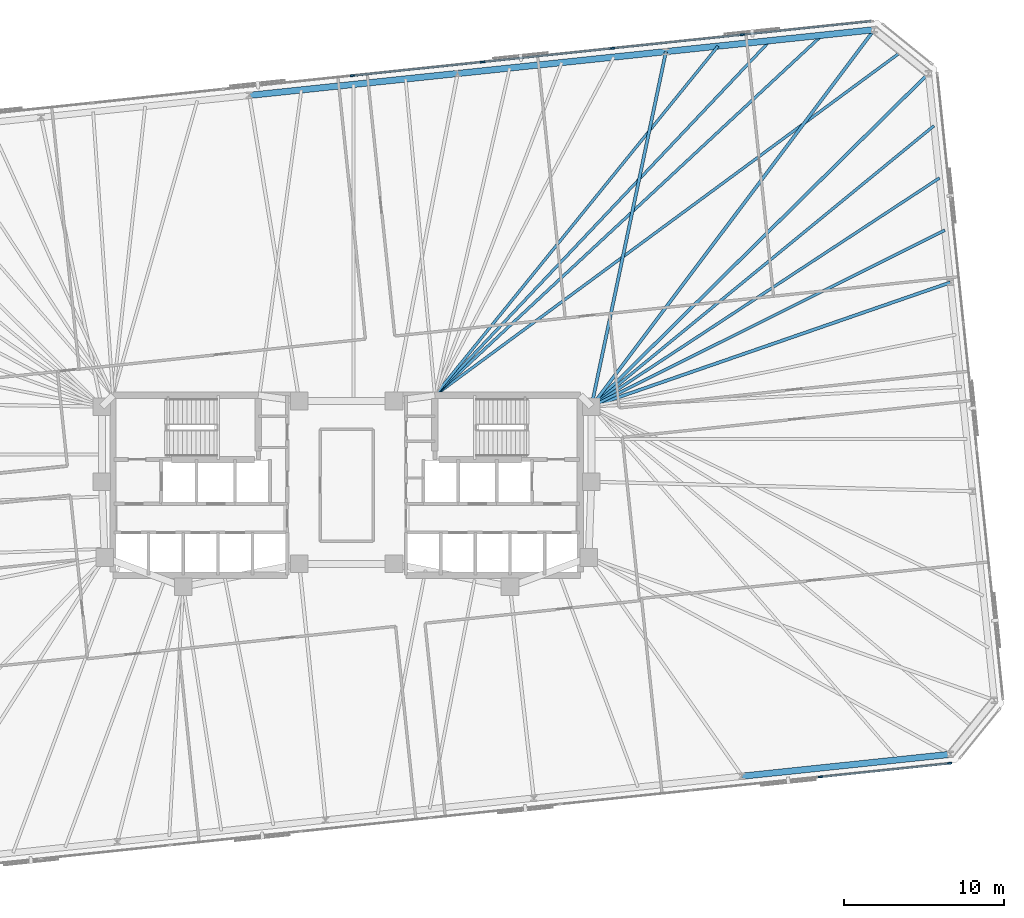
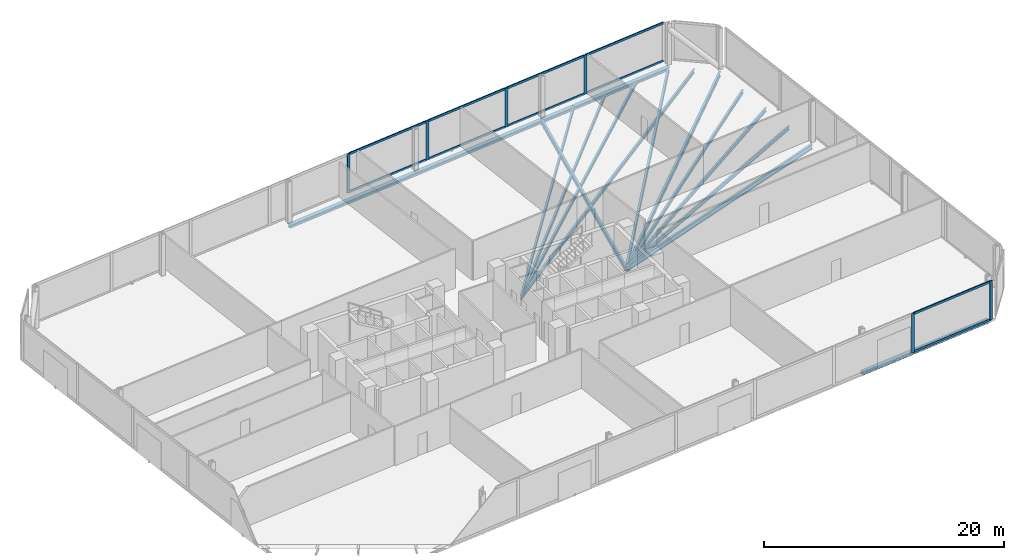
# One storey, part 9 of 16: 16 members, 15 beams, 2 elements without a shape of their own.
"""IFC4 building model written with IfcOpenShell, lengths in metres."""

from ifc_helpers import new_model, si_unit, direction, frame, origin, origin_2d, place, context, subcontext, project, spatial, rectangle, i_section, extrude, material, material_profile, profile_set, type_object, element, aggregate, save


model = new_model("IFC4")

# Units and contexts
model_context = context("Model", 3, precision=1e-05, world=origin(), true_north=direction((0.0, 1.0)))
body_context = subcontext(model_context, "Body", "Model", "MODEL_VIEW")
ifc_project = project(units=[si_unit("LENGTHUNIT", "METRE"), si_unit("AREAUNIT", "SQUARE_METRE"), si_unit("VOLUMEUNIT", "CUBIC_METRE"), si_unit("PLANEANGLEUNIT", "RADIAN"), si_unit("MASSUNIT", "GRAM", prefix="KILO")], contexts=[model_context])

# Site, building, storey
site_placement = place(None, origin())
site = spatial("IfcSite", under=ifc_project, at=site_placement, CompositionType="ELEMENT")
building_placement = place(site_placement, origin())
building = spatial("IfcBuilding", under=site, at=building_placement, Name="Menara Jurai Vektor", CompositionType="ELEMENT")
storey_placement = place(building_placement, frame((0.0, 0.0, 83.199951171875)))
storey = spatial("IfcBuildingStorey", under=building, at=storey_placement, Name="L20", CompositionType="ELEMENT", Elevation=83.199951171875)

# Curtain wall, members
ifc_material_1 = material(Name="Anodised Pale Aluminium & Low-E Double Glazing", Category="aluminium")
curtain_wall_type = type_object("IfcCurtainWallType", Name="CW-SKY", PredefinedType="NOTDEFINED", material=ifc_material_1)
curtain_wall_1_placement = place(storey_placement, origin())
curtain_wall_1 = element("IfcCurtainWall", 1, at=curtain_wall_1_placement, inside=storey, type_object=curtain_wall_type, Name="Unitised Curtain Wall L20 F01", PredefinedType="NOTDEFINED")
ifc_material_2 = material(Name="Anodised Pale Aluminium Mullion", Category="aluminium")
ifc_material_profile_1 = material_profile(ifc_material_2, rectangle(XDim=0.110107421875, YDim=0.280029296875, at=origin_2d()), Name="ALU MUL 110x280")
ifc_profile_set_1 = profile_set([ifc_material_profile_1], Name="Anodised Pale Aluminium Mullion")
member_type_1 = type_object("IfcMemberType", Name="CW-SKY-MUL", PredefinedType="MULLION", material=ifc_profile_set_1)
member_1_placement = place(storey_placement, frame((29.52392578125, -18.169189453125, 0.0), z_axis=(0.0, 0.0, 1.0), x_axis=(-0.104528634935, 0.994521877325, 0.0)))
member_1 = element("IfcMember", 2, at=member_1_placement, type_object=member_type_1, Name="CW-06 mullion 8", PredefinedType="MULLION", context=body_context, shape_type="SweptSolid", body=[
    extrude(rectangle(XDim=0.110107421875, YDim=0.280029296875, at=origin_2d()), origin(), (0.0, 0.0, 1.0), 3.97509765625),
])
member_2_placement = place(storey_placement, frame((37.567138671875, -17.32373046875, 0.0), z_axis=(0.0, 0.0, 1.0), x_axis=(-0.104528634935, 0.994521877325, 0.0)))
member_2 = element("IfcMember", 3, at=member_2_placement, type_object=member_type_1, Name="CW-06 mullion 9", PredefinedType="MULLION", context=body_context, shape_type="SweptSolid", body=[
    extrude(rectangle(XDim=0.110107421875, YDim=0.280029296875, at=origin_2d()), origin(), (0.0, 0.0, 1.0), 3.97509765625),
])

curtain_wall_2_placement = place(storey_placement, origin())
curtain_wall_2 = element("IfcCurtainWall", 4, at=curtain_wall_2_placement, inside=storey, type_object=curtain_wall_type, Name="Unitised Curtain Wall L20 F05", PredefinedType="NOTDEFINED")
member_3_placement = place(storey_placement, frame((24.663330078125, 28.075927734375, 0.0), z_axis=(0.0, 0.0, 1.0), x_axis=(0.104528634935, -0.994521877325, 0.0)))
member_3 = element("IfcMember", 5, at=member_3_placement, type_object=member_type_1, Name="CW-06 mullion 2", PredefinedType="MULLION", context=body_context, shape_type="SweptSolid", body=[
    extrude(rectangle(XDim=0.110107421875, YDim=0.280029296875, at=origin_2d()), origin(), (0.0, 0.0, 1.0), 3.97509765625),
])
member_4_placement = place(storey_placement, frame((16.5654296875, 27.224853515625, 0.0), z_axis=(0.0, 0.0, 1.0), x_axis=(0.104528634935, -0.994521877325, 0.0)))
member_4 = element("IfcMember", 6, at=member_4_placement, type_object=member_type_1, Name="CW-06 mullion 3", PredefinedType="MULLION", context=body_context, shape_type="SweptSolid", body=[
    extrude(rectangle(XDim=0.110107421875, YDim=0.280029296875, at=origin_2d()), origin(), (0.0, 0.0, 1.0), 3.97509765625),
])
member_5_placement = place(storey_placement, frame((8.467529296875, 26.373779296875, 0.0), z_axis=(0.0, 0.0, 1.0), x_axis=(0.104528634935, -0.994521877325, 0.0)))
member_5 = element("IfcMember", 7, at=member_5_placement, type_object=member_type_1, Name="CW-06 mullion 4", PredefinedType="MULLION", context=body_context, shape_type="SweptSolid", body=[
    extrude(rectangle(XDim=0.110107421875, YDim=0.280029296875, at=origin_2d()), origin(), (0.0, 0.0, 1.0), 3.97509765625),
])
member_6_placement = place(storey_placement, frame((0.36962890625, 25.522705078125, 0.0), z_axis=(0.0, 0.0, 1.0), x_axis=(0.104528634935, -0.994521877325, 0.0)))
member_6 = element("IfcMember", 8, at=member_6_placement, type_object=member_type_1, Name="CW-06 mullion 5", PredefinedType="MULLION", context=body_context, shape_type="SweptSolid", body=[
    extrude(rectangle(XDim=0.110107421875, YDim=0.280029296875, at=origin_2d()), origin(), (0.0, 0.0, 1.0), 3.97509765625),
])

# Member
ifc_material_3 = material(Name="Anodised Pale Aluminium Transom", Category="aluminium")
ifc_material_profile_2 = material_profile(ifc_material_3, rectangle(XDim=0.110107421875, YDim=0.219970703125, at=origin_2d()), Name="ALU TRN 110x220")
ifc_profile_set_2 = profile_set([ifc_material_profile_2], Name="Anodised Pale Aluminium Transom")
member_type_2 = type_object("IfcMemberType", Name="CW-SKY-TRN", PredefinedType="USERDEFINED", material=ifc_profile_set_2)
member_7_placement = place(storey_placement, frame((29.57861328125, -18.16357421875, 0.054931640625), z_axis=(0.994520534702, 0.104541408331, 0.0), x_axis=(-0.104541408331, 0.994520534702, 0.0)))
member_7 = element("IfcMember", 9, at=member_7_placement, type_object=member_type_2, Name="CW-06 transom 8.1", ObjectType="TRANSOM", PredefinedType="USERDEFINED", context=body_context, shape_type="SweptSolid", body=[
    extrude(rectangle(XDim=0.110107421875, YDim=0.219970703125, at=origin_2d()), origin(), (0.0, 0.0, 1.0), 7.9775390625),
])

member_8_placement = place(storey_placement, frame((29.57861328125, -18.16357421875, 3.920166015625), z_axis=(0.994520534702, 0.104541408331, 0.0), x_axis=(-0.104541408331, 0.994520534702, 0.0)))
member_8 = element("IfcMember", 10, at=member_8_placement, type_object=member_type_2, Name="CW-06 transom 8.2", ObjectType="TRANSOM", PredefinedType="USERDEFINED", context=body_context, shape_type="SweptSolid", body=[
    extrude(rectangle(XDim=0.110107421875, YDim=0.219970703125, at=origin_2d()), origin(), (0.0, 0.0, 1.0), 7.9775390625),
])

aggregate(curtain_wall_1, [member_1, member_2, member_7, member_8])

member_9_placement = place(storey_placement, frame((32.65185546875, 28.91552734375, 0.054931640625), z_axis=(-0.994523716049, -0.104511139192, 0.0), x_axis=(0.104511139192, -0.994523716049, 0.0)))
member_9 = element("IfcMember", 11, at=member_9_placement, type_object=member_type_2, Name="CW-06 transom 1.1", ObjectType="TRANSOM", PredefinedType="USERDEFINED", context=body_context, shape_type="SweptSolid", body=[
    extrude(rectangle(XDim=0.110107421875, YDim=0.219970703125, at=origin_2d()), origin(), (0.0, 0.0, 1.0), 7.9775390625),
])

member_10_placement = place(storey_placement, frame((32.65185546875, 28.91552734375, 3.920166015625), z_axis=(-0.994523716049, -0.104511139192, 0.0), x_axis=(0.104511139192, -0.994523716049, 0.0)))
member_10 = element("IfcMember", 12, at=member_10_placement, type_object=member_type_2, Name="CW-06 transom 1.2", ObjectType="TRANSOM", PredefinedType="USERDEFINED", context=body_context, shape_type="SweptSolid", body=[
    extrude(rectangle(XDim=0.110107421875, YDim=0.219970703125, at=origin_2d()), origin(), (0.0, 0.0, 1.0), 7.9775390625),
])

member_11_placement = place(storey_placement, frame((24.608642578125, 28.0703125, 0.054931640625), z_axis=(-0.994522260875, -0.104524985641, 0.0), x_axis=(0.104524985641, -0.994522260875, 0.0)))
member_11 = element("IfcMember", 13, at=member_11_placement, type_object=member_type_2, Name="CW-06 transom 2.1", ObjectType="TRANSOM", PredefinedType="USERDEFINED", context=body_context, shape_type="SweptSolid", body=[
    extrude(rectangle(XDim=0.110107421875, YDim=0.219970703125, at=origin_2d()), origin(), (0.0, 0.0, 1.0), 8.032470703125),
])

member_12_placement = place(storey_placement, frame((24.608642578125, 28.0703125, 3.920166015625), z_axis=(-0.994522260875, -0.104524985641, 0.0), x_axis=(0.104524985641, -0.994522260875, 0.0)))
member_12 = element("IfcMember", 14, at=member_12_placement, type_object=member_type_2, Name="CW-06 transom 2.2", ObjectType="TRANSOM", PredefinedType="USERDEFINED", context=body_context, shape_type="SweptSolid", body=[
    extrude(rectangle(XDim=0.110107421875, YDim=0.219970703125, at=origin_2d()), origin(), (0.0, 0.0, 1.0), 8.032470703125),
])

member_13_placement = place(storey_placement, frame((16.5107421875, 27.218994140625, 0.054931640625), z_axis=(-0.994522260875, -0.104524985641, 0.0), x_axis=(0.104524985641, -0.994522260875, 0.0)))
member_13 = element("IfcMember", 15, at=member_13_placement, type_object=member_type_2, Name="CW-06 transom 3.1", ObjectType="TRANSOM", PredefinedType="USERDEFINED", context=body_context, shape_type="SweptSolid", body=[
    extrude(rectangle(XDim=0.110107421875, YDim=0.219970703125, at=origin_2d()), origin(), (0.0, 0.0, 1.0), 8.032470703125),
])

member_14_placement = place(storey_placement, frame((16.5107421875, 27.218994140625, 3.920166015625), z_axis=(-0.994522260875, -0.104524985641, 0.0), x_axis=(0.104524985641, -0.994522260875, 0.0)))
member_14 = element("IfcMember", 16, at=member_14_placement, type_object=member_type_2, Name="CW-06 transom 3.2", ObjectType="TRANSOM", PredefinedType="USERDEFINED", context=body_context, shape_type="SweptSolid", body=[
    extrude(rectangle(XDim=0.110107421875, YDim=0.219970703125, at=origin_2d()), origin(), (0.0, 0.0, 1.0), 8.032470703125),
])

member_15_placement = place(storey_placement, frame((8.412841796875, 26.367919921875, 0.054931640625), z_axis=(-0.994522260875, -0.104524985641, 0.0), x_axis=(0.104524985641, -0.994522260875, 0.0)))
member_15 = element("IfcMember", 17, at=member_15_placement, type_object=member_type_2, Name="CW-06 transom 4.1", ObjectType="TRANSOM", PredefinedType="USERDEFINED", context=body_context, shape_type="SweptSolid", body=[
    extrude(rectangle(XDim=0.110107421875, YDim=0.219970703125, at=origin_2d()), origin(), (0.0, 0.0, 1.0), 8.032470703125),
])

member_16_placement = place(storey_placement, frame((8.412841796875, 26.367919921875, 3.920166015625), z_axis=(-0.994522260875, -0.104524985641, 0.0), x_axis=(0.104524985641, -0.994522260875, 0.0)))
member_16 = element("IfcMember", 18, at=member_16_placement, type_object=member_type_2, Name="CW-06 transom 4.2", ObjectType="TRANSOM", PredefinedType="USERDEFINED", context=body_context, shape_type="SweptSolid", body=[
    extrude(rectangle(XDim=0.110107421875, YDim=0.219970703125, at=origin_2d()), origin(), (0.0, 0.0, 1.0), 8.032470703125),
])

aggregate(curtain_wall_2, [member_3, member_4, member_5, member_6, member_9, member_10, member_11, member_12, member_13, member_14, member_15, member_16])

# Beams
ifc_material_4 = material(Name="Steel S355", Category="steel")
ifc_material_profile_3 = material_profile(ifc_material_4, i_section(OverallWidth=0.199951171875, OverallDepth=0.5, WebThickness=0.011962890625, FlangeThickness=0.02001953125, at=origin_2d()), Name="PG 500x200x96")
ifc_profile_set_3 = profile_set([ifc_material_profile_3], Name="Steel S355")
beam_type_1 = type_object("IfcBeamType", Name="STR-BM-500", PredefinedType="BEAM", material=ifc_profile_set_3)
beam_1_placement = place(storey_placement, frame((37.62060546875, 12.638427734375, -0.5), z_axis=(-0.945053249867, -0.326916434148, 0.0), x_axis=(0.326916434148, -0.945053249867, 0.0)))
element("IfcBeam", 19, at=beam_1_placement, inside=storey, type_object=beam_type_1, Name="Radial Floor Girder L20-E3", PredefinedType="BEAM", context=body_context, shape_type="SweptSolid", body=[
    extrude(i_section(OverallWidth=0.199951171875, OverallDepth=0.5, WebThickness=0.011962890625, FlangeThickness=0.02001953125, at=origin_2d()), origin(), (0.0, 0.0, 1.0), 23.671142578125),
])
beam_2_placement = place(storey_placement, frame((36.252685546875, 25.652099609375, -0.5), z_axis=(-0.711335927547, -0.702852188004, 0.0), x_axis=(0.702852188004, -0.711335927547, 0.0)))
element("IfcBeam", 20, at=beam_2_placement, inside=storey, type_object=beam_type_1, Name="Radial Floor Girder L20-E4", PredefinedType="BEAM", context=body_context, shape_type="SweptSolid", body=[
    extrude(i_section(OverallWidth=0.199951171875, OverallDepth=0.5, WebThickness=0.011962890625, FlangeThickness=0.02001953125, at=origin_2d()), origin(), (0.0, 0.0, 1.0), 29.525634765625),
])
beam_3_placement = place(storey_placement, frame((32.876220703125, 28.38623046875, -0.5), z_axis=(-0.600250057552, -0.799812395758, 0.0), x_axis=(0.799812395758, -0.600250057552, 0.0)))
element("IfcBeam", 21, at=beam_3_placement, inside=storey, type_object=beam_type_1, Name="Radial Floor Girder L20-N1", PredefinedType="BEAM", context=body_context, shape_type="SweptSolid", body=[
    extrude(i_section(OverallWidth=0.199951171875, OverallDepth=0.5, WebThickness=0.011962890625, FlangeThickness=0.02001953125, at=origin_2d()), origin(), (0.0, 0.0, 1.0), 29.36474609375),
])
beam_4_placement = place(storey_placement, frame((19.896728515625, 27.02197265625, -0.5), z_axis=(-0.205563576063, -0.978643763683, 0.0), x_axis=(0.978643763683, -0.205563576063, 0.0)))
element("IfcBeam", 22, at=beam_4_placement, inside=storey, type_object=beam_type_1, Name="Radial Floor Girder L20-N2", PredefinedType="BEAM", context=body_context, shape_type="SweptSolid", body=[
    extrude(i_section(OverallWidth=0.199951171875, OverallDepth=0.5, WebThickness=0.011962890625, FlangeThickness=0.02001953125, at=origin_2d()), origin(), (0.0, 0.0, 1.0), 22.604736328125),
])
ifc_material_5 = material(Name="Steel S460", Category="steel")
ifc_material_profile_4 = material_profile(ifc_material_5, i_section(OverallWidth=0.39697265625, OverallDepth=0.31591796875, WebThickness=0.030029296875, FlangeThickness=0.048095703125, FilletRadius=0.014892578125, at=origin_2d()), Name="HD 400x382")
ifc_profile_set_4 = profile_set([ifc_material_profile_4], Name="Steel S460")
beam_type_2 = type_object("IfcBeamType", Name="STR-BM-CHORD382", PredefinedType="SPANDREL", material=ifc_profile_set_4)
beam_5_placement = place(storey_placement, frame((24.64208984375, -18.12939453125, -0.407958984375), z_axis=(0.994521636083, 0.104530930169, 0.0), x_axis=(-0.104530930169, 0.994521636083, 0.0)))
element("IfcBeam", 23, at=beam_5_placement, inside=storey, type_object=beam_type_2, Name="Exoskeleton Spandrel Beam L20-05", PredefinedType="SPANDREL", context=body_context, shape_type="SweptSolid", body=[
    extrude(i_section(OverallWidth=0.39697265625, OverallDepth=0.31591796875, WebThickness=0.030029296875, FlangeThickness=0.048095703125, FilletRadius=0.014892578125, at=origin_2d()), origin(), (0.0, 0.0, 1.0), 13.05126953125),
])
beam_6_placement = place(storey_placement, frame((32.876220703125, 28.38623046875, -0.407958984375), z_axis=(-0.994521431679, -0.104532874882, 0.0), x_axis=(0.104532874882, -0.994521431679, 0.0)))
element("IfcBeam", 24, at=beam_6_placement, inside=storey, type_object=beam_type_2, Name="Exoskeleton Spandrel Beam L20-11", PredefinedType="SPANDREL", context=body_context, shape_type="SweptSolid", body=[
    extrude(i_section(OverallWidth=0.39697265625, OverallDepth=0.31591796875, WebThickness=0.030029296875, FlangeThickness=0.048095703125, FilletRadius=0.014892578125, at=origin_2d()), origin(), (0.0, 0.0, 1.0), 13.051025390625),
])
beam_7_placement = place(storey_placement, frame((19.896728515625, 27.02197265625, -0.407958984375), z_axis=(-0.994521636083, -0.104530930169, 0.0), x_axis=(0.104530930169, -0.994521636083, 0.0)))
element("IfcBeam", 25, at=beam_7_placement, inside=storey, type_object=beam_type_2, Name="Exoskeleton Spandrel Beam L20-12", PredefinedType="SPANDREL", context=body_context, shape_type="SweptSolid", body=[
    extrude(i_section(OverallWidth=0.39697265625, OverallDepth=0.31591796875, WebThickness=0.030029296875, FlangeThickness=0.048095703125, FilletRadius=0.014892578125, at=origin_2d()), origin(), (0.0, 0.0, 1.0), 13.05126953125),
])
beam_8_placement = place(storey_placement, frame((6.9169921875, 25.65771484375, -0.407958984375), z_axis=(-0.994521431679, -0.104532874882, 0.0), x_axis=(0.104532874882, -0.994521431679, 0.0)))
element("IfcBeam", 26, at=beam_8_placement, inside=storey, type_object=beam_type_2, Name="Exoskeleton Spandrel Beam L20-13", PredefinedType="SPANDREL", context=body_context, shape_type="SweptSolid", body=[
    extrude(i_section(OverallWidth=0.39697265625, OverallDepth=0.31591796875, WebThickness=0.030029296875, FlangeThickness=0.048095703125, FilletRadius=0.014892578125, at=origin_2d()), origin(), (0.0, 0.0, 1.0), 13.051025390625),
])
ifc_material_profile_5 = material_profile(ifc_material_4, i_section(OverallWidth=0.175048828125, OverallDepth=0.3798828125, WebThickness=0.010009765625, FlangeThickness=0.014892578125, at=origin_2d()), Name="PG 380x175x58")
ifc_profile_set_5 = profile_set([ifc_material_profile_5], Name="Steel S355")
beam_type_3 = type_object("IfcBeamType", Name="STR-JS-380", PredefinedType="JOIST", material=ifc_profile_set_5)
beam_9_placement = place(storey_placement, frame((37.278564453125, 15.891845703125, -0.43994140625), z_axis=(-0.894789854106, -0.446487532849, 0.0), x_axis=(0.446487532849, -0.894789854106, 0.0)))
element("IfcBeam", 27, at=beam_9_placement, inside=storey, type_object=beam_type_3, Name="Radial Secondary Floor Joist L20-JS16", PredefinedType="JOIST", context=body_context, shape_type="SweptSolid", body=[
    extrude(i_section(OverallWidth=0.175048828125, OverallDepth=0.3798828125, WebThickness=0.010009765625, FlangeThickness=0.014892578125, at=origin_2d()), origin(), (0.0, 0.0, 1.0), 24.61865234375),
])
beam_10_placement = place(storey_placement, frame((36.936767578125, 19.145263671875, -0.43994140625), z_axis=(-0.835810585743, -0.549017909326, 0.0), x_axis=(0.549017909326, -0.835810585743, 0.0)))
element("IfcBeam", 28, at=beam_10_placement, inside=storey, type_object=beam_type_3, Name="Radial Secondary Floor Joist L20-JS17", PredefinedType="JOIST", context=body_context, shape_type="SweptSolid", body=[
    extrude(i_section(OverallWidth=0.175048828125, OverallDepth=0.3798828125, WebThickness=0.010009765625, FlangeThickness=0.014892578125, at=origin_2d()), origin(), (0.0, 0.0, 1.0), 25.947021484375),
])
beam_11_placement = place(storey_placement, frame((36.5947265625, 22.398681640625, -0.43994140625), z_axis=(-0.773337004811, -0.63399517111, 0.0), x_axis=(0.63399517111, -0.773337004811, 0.0)))
element("IfcBeam", 29, at=beam_11_placement, inside=storey, type_object=beam_type_3, Name="Radial Secondary Floor Joist L20-JS18", PredefinedType="JOIST", context=body_context, shape_type="SweptSolid", body=[
    extrude(i_section(OverallWidth=0.175048828125, OverallDepth=0.3798828125, WebThickness=0.010009765625, FlangeThickness=0.014892578125, at=origin_2d()), origin(), (0.0, 0.0, 1.0), 27.600830078125),
])
beam_12_placement = place(storey_placement, frame((34.564453125, 27.01904296875, -0.43994140625), z_axis=(-0.805015724179, -0.593253473504, 0.0), x_axis=(0.593253473504, -0.805015724179, 0.0)))
element("IfcBeam", 30, at=beam_12_placement, inside=storey, type_object=beam_type_3, Name="Radial Secondary Floor Joist L20-JS19", PredefinedType="JOIST", context=body_context, shape_type="SweptSolid", body=[
    extrude(i_section(OverallWidth=0.175048828125, OverallDepth=0.3798828125, WebThickness=0.010009765625, FlangeThickness=0.014892578125, at=origin_2d()), origin(), (0.0, 0.0, 1.0), 36.104248046875),
])
beam_13_placement = place(storey_placement, frame((29.63134765625, 28.045166015625, -0.43994140625), z_axis=(-0.732227546694, -0.681060070671, 0.0), x_axis=(0.681060070671, -0.732227546694, 0.0)))
element("IfcBeam", 31, at=beam_13_placement, inside=storey, type_object=beam_type_3, Name="Radial Secondary Floor Joist L20-JS20", PredefinedType="JOIST", context=body_context, shape_type="SweptSolid", body=[
    extrude(i_section(OverallWidth=0.175048828125, OverallDepth=0.3798828125, WebThickness=0.010009765625, FlangeThickness=0.014892578125, at=origin_2d()), origin(), (0.0, 0.0, 1.0), 32.9560546875),
])
beam_14_placement = place(storey_placement, frame((26.386474609375, 27.7041015625, -0.43994140625), z_axis=(-0.686805497462, -0.726841254096, 0.0), x_axis=(0.726841254096, -0.686805497462, 0.0)))
element("IfcBeam", 32, at=beam_14_placement, inside=storey, type_object=beam_type_3, Name="Radial Secondary Floor Joist L20-JS21", PredefinedType="JOIST", context=body_context, shape_type="SweptSolid", body=[
    extrude(i_section(OverallWidth=0.175048828125, OverallDepth=0.3798828125, WebThickness=0.010009765625, FlangeThickness=0.014892578125, at=origin_2d()), origin(), (0.0, 0.0, 1.0), 30.4111328125),
])
beam_15_placement = place(storey_placement, frame((23.1416015625, 27.363037109375, -0.43994140625), z_axis=(-0.629715269624, -0.776826028917, 0.0), x_axis=(0.776826028917, -0.629715269624, 0.0)))
element("IfcBeam", 33, at=beam_15_placement, inside=storey, type_object=beam_type_3, Name="Radial Secondary Floor Joist L20-JS22", PredefinedType="JOIST", context=body_context, shape_type="SweptSolid", body=[
    extrude(i_section(OverallWidth=0.175048828125, OverallDepth=0.3798828125, WebThickness=0.010009765625, FlangeThickness=0.014892578125, at=origin_2d()), origin(), (0.0, 0.0, 1.0), 28.01513671875),
])

save(model, "model.ifc")
